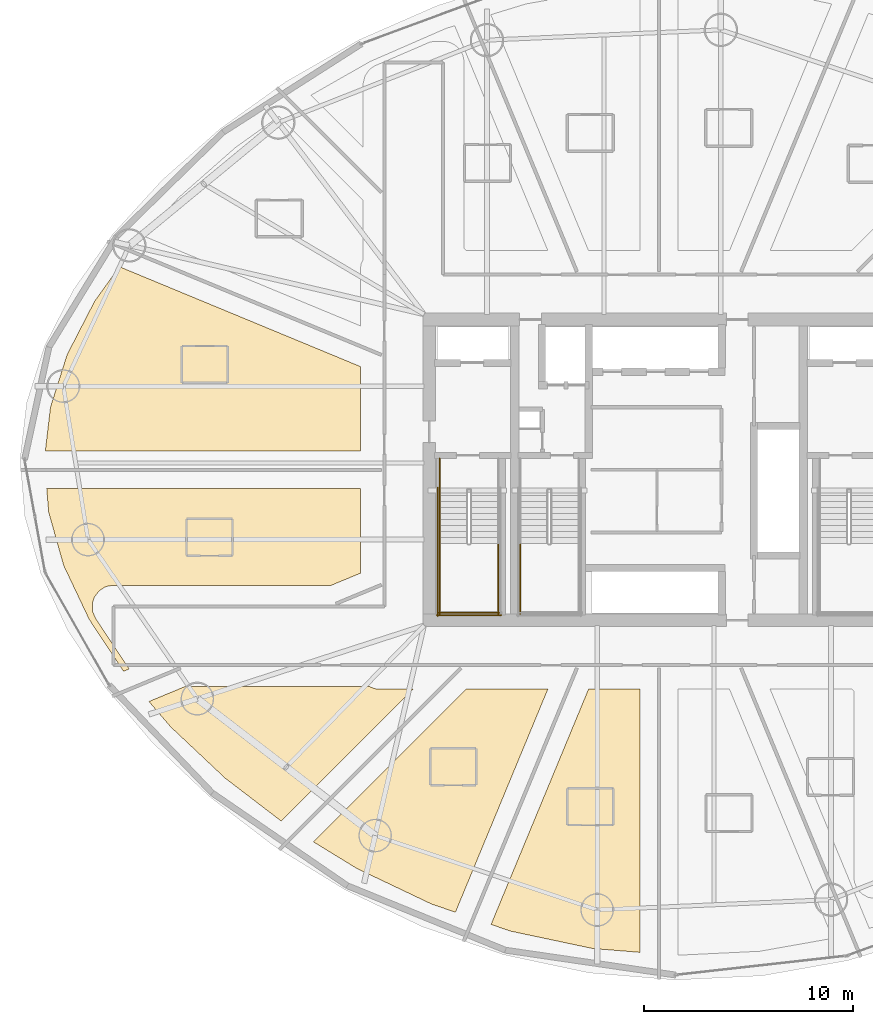
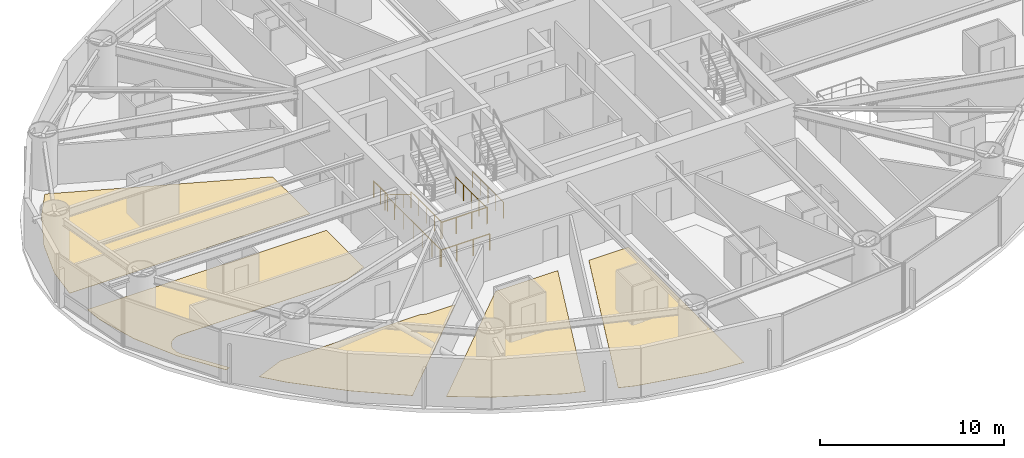
# One storey, part 23 of 27: 8 railings, 5 coverings.
"""IFC4 building model written with IfcOpenShell, lengths in metres."""

from ifc_helpers import new_model, si_unit, direction, frame, origin, origin_2d, place, context, subcontext, project, spatial, polyline, circle, outline, extrude, material, layer, layer_set, type_object, element, save


model = new_model("IFC4")

# Units and contexts
model_context = context("Model", 3, precision=1e-05, world=origin(), true_north=direction((0.0, 1.0)))
body_context = subcontext(model_context, "Body", "Model", "MODEL_VIEW")
ifc_project = project(units=[si_unit("LENGTHUNIT", "METRE"), si_unit("AREAUNIT", "SQUARE_METRE"), si_unit("VOLUMEUNIT", "CUBIC_METRE"), si_unit("PLANEANGLEUNIT", "RADIAN"), si_unit("MASSUNIT", "GRAM", prefix="KILO")], contexts=[model_context])

# Site, building, storey
site_placement = place(None, origin())
site = spatial("IfcSite", under=ifc_project, at=site_placement, CompositionType="ELEMENT")
building_placement = place(site_placement, origin())
building = spatial("IfcBuilding", under=site, at=building_placement, Name="Bramvorn Convention Spire", CompositionType="ELEMENT")
storey_placement = place(building_placement, frame((0.0, 0.0, 41.39990234375)))
storey = spatial("IfcBuildingStorey", under=building, at=storey_placement, Name="L07", CompositionType="ELEMENT", Elevation=41.39990234375)

# Coverings
ifc_material_1 = material(Name="Solution-Dyed Wool Broadloom Hospitality Carpet", Category="textile")
ifc_layer = layer(ifc_material_1, 0.014892578125)
ifc_layer_set = layer_set([ifc_layer], Name="Solution-Dyed Wool Broadloom Hospitality Carpet - FLR-CARPET-15")
covering_type = type_object("IfcCoveringType", Name="FLR-CARPET-15", PredefinedType="FLOORING", material=ifc_layer_set)
covering_1_placement = place(storey_placement, origin())
element("IfcCovering", 1, at=covering_1_placement, inside=storey, type_object=covering_type, Name="Hotel Suite 0708 wool broadloom carpet", PredefinedType="FLOORING", context=body_context, shape_type="SweptSolid", body=[
    extrude(outline(polyline([(23.699951171875, 26.89990234375), (23.699951171875, 30.94921875), (12.157958984375, 35.72998046875), (10.968994140625, 34.05859375), (9.662841796875, 31.521484375), (8.862548828125, 28.998779296875), (8.61669921875, 26.89990234375), (23.699951171875, 26.89990234375)])), origin(), (0.0, 0.0, 1.0), 0.01513671875),
])
covering_2_placement = place(storey_placement, origin())
element("IfcCovering", 2, at=covering_2_placement, inside=storey, type_object=covering_type, Name="Hotel Suite 0709 wool broadloom carpet", PredefinedType="FLOORING", context=body_context, shape_type="SweptSolid", body=[
    extrude(outline(polyline([(12.3642578125, 16.35546875), (12.628173828125, 16.46484375), (11.023193359375, 18.88671875), (10.882080078125, 19.211181640625), (10.8642578125, 19.596435546875), (10.955078125, 19.893310546875), (11.185302734375, 20.20263671875), (11.443603515625, 20.374755859375), (11.6318359375, 20.44091796875), (11.87353515625, 20.469970703125), (22.297607421875, 20.469970703125), (23.699951171875, 21.05078125), (23.699951171875, 25.10009765625), (8.6845703125, 25.10009765625), (8.779052734375, 23.968994140625), (9.495361328125, 21.421142578125), (10.716796875, 18.84228515625), (12.3642578125, 16.35546875)])), origin(), (0.0, 0.0, 1.0), 0.01513671875),
])
covering_3_placement = place(storey_placement, origin())
element("IfcCovering", 3, at=covering_3_placement, inside=storey, type_object=covering_type, Name="Hotel Suite 0710 wool broadloom carpet", PredefinedType="FLOORING", context=body_context, shape_type="SweptSolid", body=[
    extrude(outline(polyline([(19.9111328125, 9.183837890625), (26.227294921875, 15.5), (24.51171875, 15.50439453125), (24.338623046875, 15.538818359375), (24.13623046875, 15.6298828125), (15.31640625, 15.6298828125), (13.5791015625, 14.910400390625), (14.61279296875, 13.7001953125), (17.222412109375, 11.241943359375), (19.9111328125, 9.183837890625)])), origin(), (0.0, 0.0, 1.0), 0.01513671875),
])
covering_4_placement = place(storey_placement, origin())
element("IfcCovering", 4, at=covering_4_placement, inside=storey, type_object=covering_type, Name="Hotel Suite 0711 wool broadloom carpet", PredefinedType="FLOORING", context=body_context, shape_type="SweptSolid", body=[
    extrude(outline(polyline([(27.1103515625, 5.2109375), (28.252685546875, 4.819580078125), (32.676513671875, 15.5), (28.772705078125, 15.5), (21.459716796875, 8.186767578125), (23.528564453125, 6.915283203125), (27.1103515625, 5.2109375)])), origin(), (0.0, 0.0, 1.0), 0.01513671875),
])
covering_5_placement = place(storey_placement, origin())
element("IfcCovering", 5, at=covering_5_placement, inside=storey, type_object=covering_type, Name="Hotel Suite 0712 wool broadloom carpet", PredefinedType="FLOORING", context=body_context, shape_type="SweptSolid", body=[
    extrude(outline(polyline([(34.818359375, 3.08349609375), (37.10009765625, 2.897705078125), (37.10009765625, 15.5), (34.625, 15.5), (29.958740234375, 4.23486328125), (30.895263671875, 3.9140625), (34.818359375, 3.08349609375)])), origin(), (0.0, 0.0, 1.0), 0.01513671875),
])

# Railings
ifc_material_2 = material(Name="Painted Steel Balustrade & Guardrail", Category="steel")
railing_type_1 = type_object("IfcRailingType", Name="RL-STAIR-GUARD-1100", PredefinedType="GUARDRAIL", material=ifc_material_2)
for number, where, name in (
    (6, (27.5, 22.485107421875, 1.75), "L07 ST1 stair guard 3"),
    (7, (30.300048828125, 22.485107421875, 1.75), "L07 ST1 stair guard 4"),
):
    element("IfcRailing", number, at=place(storey_placement, frame(where)), inside=storey, type_object=railing_type_1, Name=name, PredefinedType="GUARDRAIL", context=body_context, shape_type="SweptSolid", body=[
        extrude(circle(Radius=0.02392578125, at=origin_2d()), frame((0.0, 0.0, 1.076171875), z_axis=(0.0, -1.0, 0.0), x_axis=(1.0, 0.0, 0.0)), (0.0, 0.0, 1.0), 3.385009765625),
        extrude(circle(Radius=0.02099609375, at=origin_2d()), origin(), (0.0, 0.0, 1.0), 1.052001953125),
        extrude(circle(Radius=0.02099609375, at=origin_2d()), frame((0.0, -0.84619140625, 0.0)), (0.0, 0.0, 1.0), 1.052001953125),
        extrude(circle(Radius=0.02099609375, at=origin_2d()), frame((0.0, -1.6923828125, 0.0)), (0.0, 0.0, 1.0), 1.052001953125),
        extrude(circle(Radius=0.02099609375, at=origin_2d()), frame((0.0, -2.538818359375, 0.0)), (0.0, 0.0, 1.0), 1.052001953125),
        extrude(circle(Radius=0.02099609375, at=origin_2d()), frame((0.0, -3.385009765625, 0.0)), (0.0, 0.0, 1.0), 1.052001953125),
    ])
railing_1_placement = place(storey_placement, frame((27.449951171875, 19.14990234375, 1.75)))
element("IfcRailing", 8, at=railing_1_placement, inside=storey, type_object=railing_type_1, Name="L07 ST1 stair guard 5", PredefinedType="GUARDRAIL", context=body_context, shape_type="SweptSolid", body=[
    extrude(circle(Radius=0.02392578125, at=origin_2d()), frame((0.0, 0.0, 1.076171875), z_axis=(1.0, 0.0, 0.0), x_axis=(0.0, 1.0, 0.0)), (0.0, 0.0, 1.0), 2.900146484375),
    extrude(circle(Radius=0.02099609375, at=origin_2d()), origin(), (0.0, 0.0, 1.0), 1.052001953125),
    extrude(circle(Radius=0.02099609375, at=origin_2d()), frame((0.966796875, 0.0, 0.0)), (0.0, 0.0, 1.0), 1.052001953125),
    extrude(circle(Radius=0.02099609375, at=origin_2d()), frame((1.933349609375, 0.0, 0.0)), (0.0, 0.0, 1.0), 1.052001953125),
    extrude(circle(Radius=0.02099609375, at=origin_2d()), frame((2.900146484375, 0.0, 0.0)), (0.0, 0.0, 1.0), 1.052001953125),
])
railing_2_placement = place(storey_placement, frame((27.5, 26.550048828125, 0.0)))
element("IfcRailing", 9, at=railing_2_placement, inside=storey, type_object=railing_type_1, Name="L07 ST1 stair guard 8", PredefinedType="GUARDRAIL", context=body_context, shape_type="SweptSolid", body=[
    extrude(circle(Radius=0.02392578125, at=origin_2d()), frame((0.0, 0.0, 1.076171875), z_axis=(0.0, -1.0, 0.0), x_axis=(1.0, 0.0, 0.0)), (0.0, 0.0, 1.0), 1.5),
    extrude(circle(Radius=0.02099609375, at=origin_2d()), origin(), (0.0, 0.0, 1.0), 1.052001953125),
    extrude(circle(Radius=0.02099609375, at=origin_2d()), frame((0.0, -0.75, 0.0)), (0.0, 0.0, 1.0), 1.052001953125),
    extrude(circle(Radius=0.02099609375, at=origin_2d()), frame((0.0, -1.5, 0.0)), (0.0, 0.0, 1.0), 1.052001953125),
])
railing_3_placement = place(storey_placement, frame((27.39990234375, 25.14990234375, 0.0)))
element("IfcRailing", 10, at=railing_3_placement, inside=storey, type_object=railing_type_1, Name="L07 ST1 stair guard 10", PredefinedType="GUARDRAIL", context=body_context, shape_type="SweptSolid", body=[
    extrude(circle(Radius=0.02392578125, at=origin_2d()), frame((0.0, 0.0, 1.076171875), z_axis=(0.0, -1.0, 0.0), x_axis=(1.0, 0.0, 0.0)), (0.0, 0.0, 1.0), 6.14990234375),
    extrude(circle(Radius=0.02099609375, at=origin_2d()), origin(), (0.0, 0.0, 1.0), 1.052001953125),
    extrude(circle(Radius=0.02099609375, at=origin_2d()), frame((0.0, -1.02490234375, 0.0)), (0.0, 0.0, 1.0), 1.052001953125),
    extrude(circle(Radius=0.02099609375, at=origin_2d()), frame((0.0, -2.050048828125, 0.0)), (0.0, 0.0, 1.0), 1.052001953125),
    extrude(circle(Radius=0.02099609375, at=origin_2d()), frame((0.0, -3.074951171875, 0.0)), (0.0, 0.0, 1.0), 1.052001953125),
    extrude(circle(Radius=0.02099609375, at=origin_2d()), frame((0.0, -4.099853515625, 0.0)), (0.0, 0.0, 1.0), 1.052001953125),
    extrude(circle(Radius=0.02099609375, at=origin_2d()), frame((0.0, -5.125, 0.0)), (0.0, 0.0, 1.0), 1.052001953125),
    extrude(circle(Radius=0.02099609375, at=origin_2d()), frame((0.0, -6.14990234375, 0.0)), (0.0, 0.0, 1.0), 1.052001953125),
])
railing_4_placement = place(storey_placement, frame((27.35009765625, 19.050048828125, 0.0)))
element("IfcRailing", 11, at=railing_4_placement, inside=storey, type_object=railing_type_1, Name="L07 ST1 stair guard 12", PredefinedType="GUARDRAIL", context=body_context, shape_type="SweptSolid", body=[
    extrude(circle(Radius=0.02392578125, at=origin_2d()), frame((0.0, 0.0, 1.076171875), z_axis=(1.0, 0.0, 0.0), x_axis=(0.0, 1.0, 0.0)), (0.0, 0.0, 1.0), 3.099853515625),
    extrude(circle(Radius=0.02099609375, at=origin_2d()), origin(), (0.0, 0.0, 1.0), 1.052001953125),
    extrude(circle(Radius=0.02099609375, at=origin_2d()), frame((1.033203125, 0.0, 0.0)), (0.0, 0.0, 1.0), 1.052001953125),
    extrude(circle(Radius=0.02099609375, at=origin_2d()), frame((2.066650390625, 0.0, 0.0)), (0.0, 0.0, 1.0), 1.052001953125),
    extrude(circle(Radius=0.02099609375, at=origin_2d()), frame((3.099853515625, 0.0, 0.0)), (0.0, 0.0, 1.0), 1.052001953125),
])
railing_5_placement = place(storey_placement, frame((31.35009765625, 22.485107421875, 1.75)))
element("IfcRailing", 12, at=railing_5_placement, inside=storey, type_object=railing_type_1, Name="L07 ST3 stair guard 3", PredefinedType="GUARDRAIL", context=body_context, shape_type="SweptSolid", body=[
    extrude(circle(Radius=0.02392578125, at=origin_2d()), frame((0.0, 0.0, 1.076171875), z_axis=(0.0, -1.0, 0.0), x_axis=(1.0, 0.0, 0.0)), (0.0, 0.0, 1.0), 3.385009765625),
    extrude(circle(Radius=0.02099609375, at=origin_2d()), origin(), (0.0, 0.0, 1.0), 1.052001953125),
    extrude(circle(Radius=0.02099609375, at=origin_2d()), frame((0.0, -0.84619140625, 0.0)), (0.0, 0.0, 1.0), 1.052001953125),
    extrude(circle(Radius=0.02099609375, at=origin_2d()), frame((0.0, -1.6923828125, 0.0)), (0.0, 0.0, 1.0), 1.052001953125),
    extrude(circle(Radius=0.02099609375, at=origin_2d()), frame((0.0, -2.538818359375, 0.0)), (0.0, 0.0, 1.0), 1.052001953125),
    extrude(circle(Radius=0.02099609375, at=origin_2d()), frame((0.0, -3.385009765625, 0.0)), (0.0, 0.0, 1.0), 1.052001953125),
])
ifc_material_3 = material(Name="Brushed Bronze Tubular Handrail", Category="aluminium")
railing_type_2 = type_object("IfcRailingType", Name="RL-STAIR-HR-920", PredefinedType="HANDRAIL", material=ifc_material_3)
railing_6_placement = place(storey_placement, frame((27.5, 25.050048828125, 0.175048828125)))
element("IfcRailing", 13, at=railing_6_placement, inside=storey, type_object=railing_type_2, Name="L07 ST1 stair handrail 1", PredefinedType="HANDRAIL", context=body_context, shape_type="SweptSolid", body=[
    extrude(circle(Radius=0.02392578125, at=origin_2d()), frame((0.0, 0.0, 0.89599609375), z_axis=(0.0, -0.852173129349, 0.523259933127), x_axis=(1.0, 0.0, 0.0)), (0.0, 0.0, 1.0), 3.009765625),
    extrude(circle(Radius=0.02099609375, at=origin_2d()), origin(), (0.0, 0.0, 1.0), 0.871826171875),
    extrude(circle(Radius=0.02099609375, at=origin_2d()), frame((0.0, -0.85498046875, 0.52490234375)), (0.0, 0.0, 1.0), 0.871826171875),
    extrude(circle(Radius=0.02099609375, at=origin_2d()), frame((0.0, -1.7099609375, 1.050048828125)), (0.0, 0.0, 1.0), 0.871826171875),
    extrude(circle(Radius=0.02099609375, at=origin_2d()), frame((0.0, -2.56494140625, 1.574951171875)), (0.0, 0.0, 1.0), 0.871826171875),
])

save(model, "model.ifc")
